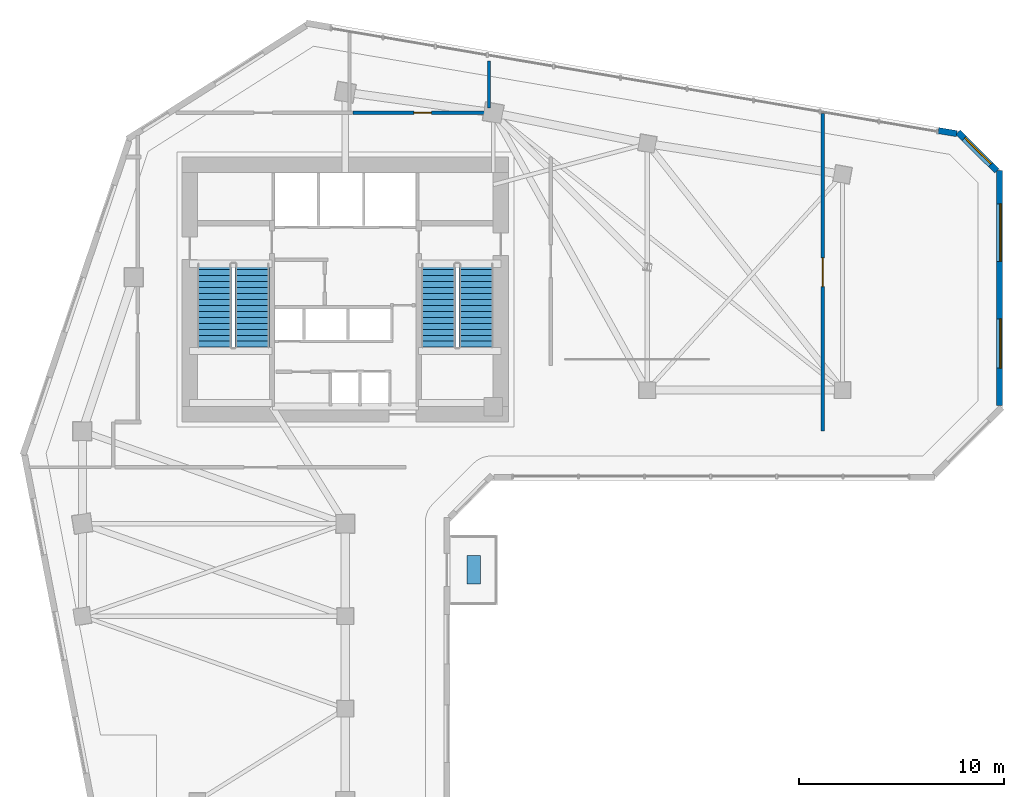
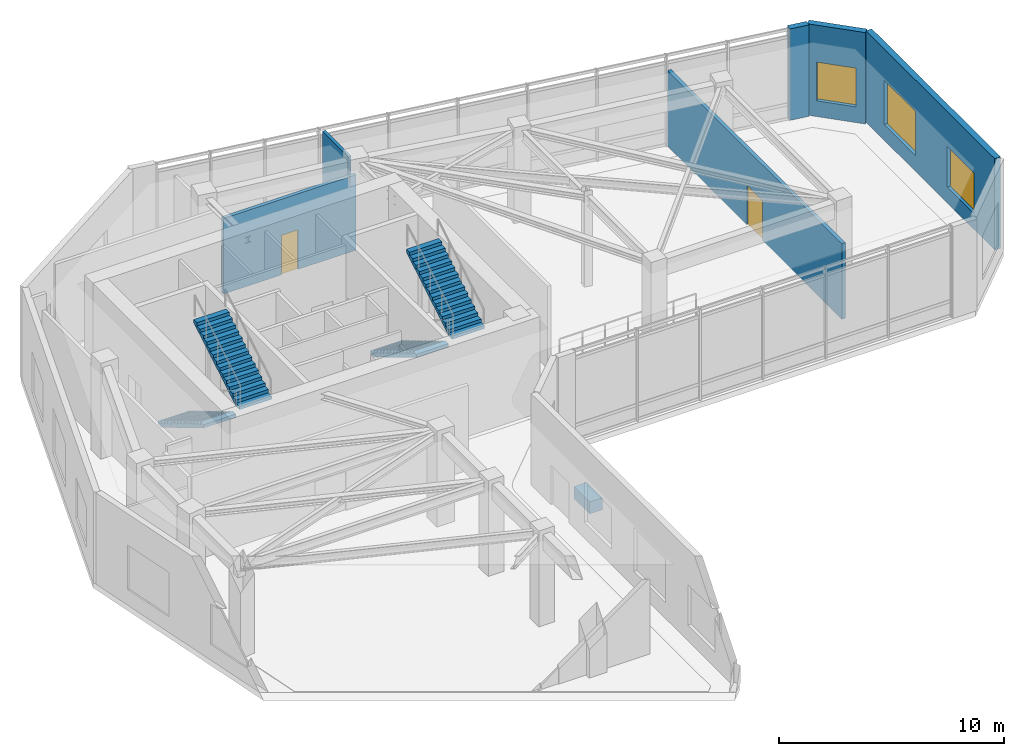
# One storey, part 6 of 9: 6 walls, 4 stair flights, 3 windows, 2 doors, 1 discrete accessory, 5 openings, 2 elements without a shape of their own.
"""IFC4 building model written with IfcOpenShell, lengths in metres."""

from ifc_helpers import new_model, si_unit, direction, frame, frame_2d, origin, origin_2d, place, context, subcontext, project, spatial, polyline, rectangle, outline, extrude, source, transform, mapped, material, layer, layer_set, type_object, element, fill, aggregate, save


model = new_model("IFC4")

# Units and contexts
model_context = context("Model", 3, precision=1e-05, world=origin(), true_north=direction((0.0, 1.0)))
body_context = subcontext(model_context, "Body", "Model", "MODEL_VIEW")
ifc_project = project(units=[si_unit("LENGTHUNIT", "METRE"), si_unit("AREAUNIT", "SQUARE_METRE"), si_unit("VOLUMEUNIT", "CUBIC_METRE"), si_unit("PLANEANGLEUNIT", "RADIAN"), si_unit("MASSUNIT", "GRAM", prefix="KILO")], contexts=[model_context])

# Site, building, storey
site_placement = place(None, origin())
site = spatial("IfcSite", under=ifc_project, at=site_placement, CompositionType="ELEMENT")
building_placement = place(site_placement, origin())
building = spatial("IfcBuilding", under=site, at=building_placement, Name="Calvemar Wedge Station Tower", CompositionType="ELEMENT")
storey_placement = place(building_placement, frame((0.0, 0.0, 105.39990234375)))
storey = spatial("IfcBuildingStorey", under=building, at=storey_placement, Name="L25", CompositionType="ELEMENT", Elevation=105.39990234375)

# Wall, opening, door
ifc_material_1 = material(Name="Double-stud fire-rated corridor partition")
ifc_layer_1 = layer(ifc_material_1, 0.179931640625)
ifc_layer_set_1 = layer_set([ifc_layer_1], Name="Double-stud fire-rated corridor partition")
wall_type_1 = type_object("IfcWallType", Name="W-CORR-180", PredefinedType="PARTITIONING", material=ifc_layer_set_1)
wall_1_placement = place(storey_placement, frame((24.162109375, 48.5, 0.0), z_axis=(0.0, 0.0, 1.0), x_axis=(1.0, 0.0, 0.0)))
wall_1 = element("IfcWall", 1, at=wall_1_placement, inside=storey, type_object=wall_type_1, Name="Storey L25 Interior Partition WL-L25-011", PredefinedType="PARTITIONING", context=body_context, shape_type="SweptSolid", body=[
    extrude(rectangle(XDim=6.7978515625, YDim=0.179931640625, at=frame_2d((3.39892578125, 0.0))), origin(), (0.0, 0.0, 1.0), 4.092041015625),
])
shared_shape_1 = source(origin(), body_context, "Body", "SweptSolid", [
    extrude(rectangle(XDim=0.85009765625, YDim=2.14990234375, at=frame_2d((0.425048828125, 1.074951171875))), frame((0.0, 0.10009765625, 0.0), z_axis=(0.0, -1.0, 0.0), x_axis=(1.0, 0.0, 0.0)), (0.0, 0.0, 1.0), 0.199951171875),
])
opening_1_placement = place(wall_1_placement, frame((2.97412109375, 0.0, 0.0)))
opening_1 = element("IfcOpeningElement", 2, at=opening_1_placement, cuts=wall_1, Name="Opening D-02", PredefinedType="OPENING", context=body_context, shape_type="MappedRepresentation", body=[
    mapped(shared_shape_1, transform((0.0, 0.0, 0.0), scale=1.0)),
])
ifc_material_2 = material(Name="Moisture-sealed bathroom hardwood swing door", Category="wood")
door_type_1 = type_object("IfcDoorType", Name="DR-WET-850", OperationType="NOTDEFINED", PredefinedType="DOOR", material=ifc_material_2)
shared_shape_2 = source(origin(), body_context, "Body", "SweptSolid", [
    extrude(rectangle(XDim=0.85009765625, YDim=2.14990234375, at=frame_2d((0.425048828125, 1.074951171875))), frame((0.0, 0.02490234375, 0.0), z_axis=(0.0, -1.0, 0.0), x_axis=(1.0, 0.0, 0.0)), (0.0, 0.0, 1.0), 0.050048828125),
])
door_1_placement = place(opening_1_placement, origin())
door_1 = element("IfcDoor", 3, at=door_1_placement, inside=storey, type_object=door_type_1, Name="L25 Accessible WC Door", OperationType="SINGLE_SWING_LEFT", OverallHeight=2.14990234375, OverallWidth=0.85009765625, PredefinedType="DOOR", context=body_context, shape_type="MappedRepresentation", body=[
    mapped(shared_shape_2, transform((0.0, 0.0, 0.0), scale=1.0)),
])
fill(opening_1, door_1)

wall_2_placement = place(storey_placement, frame((47.034912109375, 48.4736328125, 0.0), z_axis=(0.0, 0.0, 1.0), x_axis=(0.0, -1.0, 0.0)))
wall_2 = element("IfcWall", 4, at=wall_2_placement, inside=storey, type_object=wall_type_1, Name="Storey L25 Interior Partition WL-L25-014", PredefinedType="PARTITIONING", context=body_context, shape_type="SweptSolid", body=[
    extrude(rectangle(XDim=15.4736328125, YDim=0.179931640625, at=frame_2d((7.73681640625, 0.0))), origin(), (0.0, 0.0, 1.0), 4.092041015625),
])
shared_shape_3 = source(origin(), body_context, "Body", "SweptSolid", [
    extrude(rectangle(XDim=1.39990234375, YDim=2.14990234375, at=frame_2d((0.699951171875, 1.074951171875))), frame((0.0, 0.10009765625, 0.0), z_axis=(0.0, -1.0, 0.0), x_axis=(1.0, 0.0, 0.0)), (0.0, 0.0, 1.0), 0.199951171875),
])
opening_2_placement = place(wall_2_placement, frame((7.036865234375, 0.0, 0.0)))
opening_2 = element("IfcOpeningElement", 5, at=opening_2_placement, cuts=wall_2, Name="Opening DD-140", PredefinedType="OPENING", context=body_context, shape_type="MappedRepresentation", body=[
    mapped(shared_shape_3, transform((0.0, 0.0, 0.0), scale=1.0)),
])
ifc_material_3 = material(Name="Double-leaf corridor acoustic fire door EI 60")
door_type_2 = type_object("IfcDoorType", Name="DR-DBL-1400", OperationType="DOUBLE_DOOR_SINGLE_SWING", PredefinedType="DOOR", material=ifc_material_3)
shared_shape_4 = source(origin(), body_context, "Body", "SweptSolid", [
    extrude(rectangle(XDim=1.39990234375, YDim=2.14990234375, at=frame_2d((0.699951171875, 1.074951171875))), frame((0.0, 0.02490234375, 0.0), z_axis=(0.0, -1.0, 0.0), x_axis=(1.0, 0.0, 0.0)), (0.0, 0.0, 1.0), 0.050048828125),
])
door_2_placement = place(opening_2_placement, origin())
door_2 = element("IfcDoor", 6, at=door_2_placement, inside=storey, type_object=door_type_2, Name="L25 Sky Terrace Bar Door", OperationType="SINGLE_SWING_LEFT", OverallHeight=2.14990234375, OverallWidth=1.39990234375, PredefinedType="DOOR", context=body_context, shape_type="MappedRepresentation", body=[
    mapped(shared_shape_4, transform((0.0, 0.0, 0.0), scale=1.0)),
])
fill(opening_2, door_2)

# Wall, openings, windows
ifc_material_4 = material(Name="Precast concrete C45", Category="concrete")
ifc_layer_2 = layer(ifc_material_4, 0.300048828125)
ifc_layer_set_2 = layer_set([ifc_layer_2], Name="Precast concrete C45")
wall_type_2 = type_object("IfcWallType", Name="W-EXT-GFRC-300", PredefinedType="SOLIDWALL", material=ifc_layer_set_2)
wall_3_placement = place(storey_placement, frame((55.64990234375, 34.249267578125, 0.0), z_axis=(0.0, 0.0, 1.0), x_axis=(0.0, 1.0, 0.0)))
wall_3 = element("IfcWall", 7, at=wall_3_placement, inside=storey, type_object=wall_type_2, Name="Storey L25 Bronze GFRC Exterior Wall 8", PredefinedType="SOLIDWALL", context=body_context, shape_type="SweptSolid", body=[
    extrude(rectangle(XDim=11.4306640625, YDim=0.300048828125, at=frame_2d((5.71533203125, 0.0))), origin(), (0.0, 0.0, 1.0), 4.9501953125),
])
shared_shape_5 = source(origin(), body_context, "Body", "SweptSolid", [
    extrude(rectangle(XDim=2.39990234375, YDim=2.199951171875, at=frame_2d((1.199951171875, 1.10009765625))), frame((0.0, 0.16015625, 0.0), z_axis=(0.0, -1.0, 0.0), x_axis=(1.0, 0.0, 0.0)), (0.0, 0.0, 1.0), 0.320068359375),
])
opening_3_placement = place(wall_3_placement, frame((1.818115234375, 0.0, 0.85009765625)))
opening_3 = element("IfcOpeningElement", 8, at=opening_3_placement, cuts=wall_3, Name="Opening W1", PredefinedType="OPENING", context=body_context, shape_type="MappedRepresentation", body=[
    mapped(shared_shape_5, transform((0.0, 0.0, 0.0), scale=1.0)),
])
shared_shape_6 = source(origin(), body_context, "Body", "SweptSolid", [
    extrude(rectangle(XDim=2.800048828125, YDim=2.39990234375, at=frame_2d((1.39990234375, 1.199951171875))), frame((0.0, 0.16015625, 0.0), z_axis=(0.0, -1.0, 0.0), x_axis=(1.0, 0.0, 0.0)), (0.0, 0.0, 1.0), 0.320068359375),
])
opening_4_placement = place(wall_3_placement, frame((7.012939453125, 0.0, 0.85009765625)))
opening_4 = element("IfcOpeningElement", 9, at=opening_4_placement, cuts=wall_3, Name="Opening W6", PredefinedType="OPENING", context=body_context, shape_type="MappedRepresentation", body=[
    mapped(shared_shape_6, transform((0.0, 0.0, 0.0), scale=1.0)),
])
ifc_material_5 = material(Name="Low-E laminated insulated glass", Category="glass")
window_type_1 = type_object("IfcWindowType", Name="WIN-EXT-6", PartitioningType="SINGLE_PANEL", PredefinedType="WINDOW", material=ifc_material_5)
shared_shape_7 = source(origin(), body_context, "Body", "SweptSolid", [
    extrude(rectangle(XDim=2.800048828125, YDim=2.39990234375, at=frame_2d((1.39990234375, 1.199951171875))), frame((0.0, -0.014892578125, 0.0), z_axis=(0.0, -1.0, 0.0), x_axis=(1.0, 0.0, 0.0)), (0.0, 0.0, 1.0), 0.06005859375),
])
window_1_placement = place(opening_4_placement, origin())
window_1 = element("IfcWindow", 10, at=window_1_placement, inside=storey, type_object=window_type_1, Name="Storey L25 Recessed Window 8.2", OverallHeight=2.39990234375, OverallWidth=2.800048828125, PartitioningType="SINGLE_PANEL", PredefinedType="WINDOW", context=body_context, shape_type="MappedRepresentation", body=[
    mapped(shared_shape_7, transform((0.0, 0.0, 0.0), scale=1.0)),
])
fill(opening_4, window_1)
window_type_2 = type_object("IfcWindowType", Name="WIN-EXT-1", PartitioningType="SINGLE_PANEL", PredefinedType="WINDOW", material=ifc_material_5)
shared_shape_8 = source(origin(), body_context, "Body", "SweptSolid", [
    extrude(rectangle(XDim=2.39990234375, YDim=2.199951171875, at=frame_2d((1.199951171875, 1.10009765625))), frame((0.0, -0.014892578125, 0.0), z_axis=(0.0, -1.0, 0.0), x_axis=(1.0, 0.0, 0.0)), (0.0, 0.0, 1.0), 0.06005859375),
])
window_2_placement = place(opening_3_placement, origin())
window_2 = element("IfcWindow", 11, at=window_2_placement, inside=storey, type_object=window_type_2, Name="Storey L25 Recessed Window 8.1", OverallHeight=2.199951171875, OverallWidth=2.39990234375, PartitioningType="SINGLE_PANEL", PredefinedType="WINDOW", context=body_context, shape_type="MappedRepresentation", body=[
    mapped(shared_shape_8, transform((0.0, 0.0, 0.0), scale=1.0)),
])
fill(opening_3, window_2)

# Wall, opening, window
wall_4_placement = place(storey_placement, frame((55.511962890625, 45.66796875, 0.0), z_axis=(0.0, 0.0, 1.0), x_axis=(-0.707152443695, 0.707061115729, 0.0)))
wall_4 = element("IfcWall", 12, at=wall_4_placement, inside=storey, type_object=wall_type_2, Name="Storey L25 Bronze GFRC Exterior Wall 9", PredefinedType="SOLIDWALL", context=body_context, shape_type="SweptSolid", body=[
    extrude(rectangle(XDim=2.67333984375, YDim=0.300048828125, at=frame_2d((1.336669921875, 0.0))), origin(), (0.0, 0.0, 1.0), 4.9501953125),
])
shared_shape_9 = source(origin(), body_context, "Body", "SweptSolid", [
    extrude(rectangle(XDim=1.800048828125, YDim=2.10009765625, at=frame_2d((0.89990234375, 1.050048828125))), frame((0.0, 0.16015625, 0.0), z_axis=(0.0, -1.0, 0.0), x_axis=(1.0, 0.0, 0.0)), (0.0, 0.0, 1.0), 0.320068359375),
])
opening_5_placement = place(wall_4_placement, frame((0.43701171875, 0.0, 0.85009765625)))
opening_5 = element("IfcOpeningElement", 13, at=opening_5_placement, cuts=wall_4, Name="Opening W2", PredefinedType="OPENING", context=body_context, shape_type="MappedRepresentation", body=[
    mapped(shared_shape_9, transform((0.0, 0.0, 0.0), scale=1.0)),
])
window_type_3 = type_object("IfcWindowType", Name="WIN-EXT-2", PartitioningType="SINGLE_PANEL", PredefinedType="WINDOW", material=ifc_material_5)
shared_shape_10 = source(origin(), body_context, "Body", "SweptSolid", [
    extrude(rectangle(XDim=1.800048828125, YDim=2.10009765625, at=frame_2d((0.89990234375, 1.050048828125))), frame((0.0, -0.014892578125, 0.0), z_axis=(0.0, -1.0, 0.0), x_axis=(1.0, 0.0, 0.0)), (0.0, 0.0, 1.0), 0.06005859375),
])
window_3_placement = place(opening_5_placement, origin())
window_3 = element("IfcWindow", 14, at=window_3_placement, inside=storey, type_object=window_type_3, Name="Storey L25 Recessed Window 9.1", OverallHeight=2.10009765625, OverallWidth=1.800048828125, PartitioningType="SINGLE_PANEL", PredefinedType="WINDOW", context=body_context, shape_type="MappedRepresentation", body=[
    mapped(shared_shape_10, transform((0.0, 0.0, 0.0), scale=1.0)),
])
fill(opening_5, window_3)

# Walls
wall_5_placement = place(storey_placement, frame((53.56103515625, 47.48046875, 0.0), z_axis=(0.0, 0.0, 1.0), x_axis=(-0.985849611931, 0.167632164741, 0.0)))
element("IfcWall", 15, at=wall_5_placement, inside=storey, type_object=wall_type_2, Name="Storey L25 Bronze GFRC Corner Pier 10A", PredefinedType="SOLIDWALL", context=body_context, shape_type="SweptSolid", body=[
    extrude(rectangle(XDim=0.906005859375, YDim=0.300048828125, at=frame_2d((0.453125, 0.0))), origin(), (0.0, 0.0, 1.0), 4.9501953125),
])
ifc_material_6 = material(Name="Moisture-resistant acoustic bathroom partition")
ifc_layer_3 = layer(ifc_material_6, 0.14990234375)
ifc_layer_set_3 = layer_set([ifc_layer_3], Name="Moisture-resistant acoustic bathroom partition")
wall_type_3 = type_object("IfcWallType", Name="W-WET-150", PredefinedType="PARTITIONING", material=ifc_layer_set_3)
wall_6_placement = place(storey_placement, frame((30.800048828125, 51.011474609375, 0.0), z_axis=(0.0, 0.0, 1.0), x_axis=(0.0, -1.0, 0.0)))
element("IfcWall", 16, at=wall_6_placement, inside=storey, type_object=wall_type_3, Name="Storey L25 Bathroom Enclosure Wall WL-L25-019", PredefinedType="PARTITIONING", context=body_context, shape_type="SweptSolid", body=[
    extrude(rectangle(XDim=2.29150390625, YDim=0.14990234375, at=frame_2d((1.145751953125, 0.0))), origin(), (0.0, 0.0, 1.0), 4.9501953125),
])

# Stair, stair flights
ifc_material_7 = material(Name="Concrete C45", Category="concrete")
stair_type = type_object("IfcStairType", Name="ST-TYPE-5200", PredefinedType="HALF_TURN_STAIR", material=ifc_material_7)
stair_1_placement = place(storey_placement, origin())
stair_1 = element("IfcStair", 17, at=stair_1_placement, inside=storey, type_object=stair_type, Name="L25 Pressurized Core Exit Stair ST-C1", PredefinedType="HALF_TURN_STAIR")
stair_flight_type = type_object("IfcStairFlightType", Name="STF-TYPE-5200", PredefinedType="STRAIGHT", material=ifc_material_7)
stair_flight_1_placement = place(storey_placement, frame((17.429931640625, 41.14990234375, 0.0), z_axis=(0.0, 0.0, 1.0), x_axis=(0.0, -1.0, 0.0)))
stair_flight_1 = element("IfcStairFlight", 18, at=stair_flight_1_placement, type_object=stair_flight_type, Name="ST-C1 flight 1", NumberOfRisers=15, NumberOfTreads=14, PredefinedType="STRAIGHT", RiserHeight=0.173333333, TreadLength=0.29, context=body_context, shape_type="SweptSolid", body=[
    extrude(outline(polyline([(0.0, 0.0), (0.0, 0.17333984375), (0.2900390625, 0.17333984375), (0.2900390625, 0.3466796875), (0.580078125, 0.3466796875), (0.580078125, 0.52001953125), (0.8701171875, 0.52001953125), (0.8701171875, 0.693359375), (1.159912109375, 0.693359375), (1.159912109375, 0.86669921875), (1.449951171875, 0.86669921875), (1.449951171875, 1.0400390625), (1.739990234375, 1.0400390625), (1.739990234375, 1.21337890625), (2.030029296875, 1.21337890625), (2.030029296875, 1.38671875), (2.320068359375, 1.38671875), (2.320068359375, 1.56005859375), (2.610107421875, 1.56005859375), (2.610107421875, 1.7333984375), (2.89990234375, 1.7333984375), (2.89990234375, 1.90673828125), (3.18994140625, 1.90673828125), (3.18994140625, 2.080078125), (3.47998046875, 2.080078125), (3.47998046875, 2.25341796875), (3.77001953125, 2.25341796875), (3.77001953125, 2.4267578125), (4.06005859375, 2.4267578125), (4.06005859375, 2.60009765625), (4.06005859375, 2.251953125), (0.292236328125, 0.0), (0.0, 0.0)])), frame((0.0, 0.830078125, 0.0), z_axis=(0.0, -1.0, 0.0), x_axis=(1.0, 0.0, 0.0)), (0.0, 0.0, 1.0), 1.659912109375),
])
stair_flight_2_placement = place(storey_placement, frame((19.27001953125, 37.090087890625, 2.60009765625), z_axis=(0.0, 0.0, 1.0), x_axis=(0.0, 1.0, 0.0)))
stair_flight_2 = element("IfcStairFlight", 19, at=stair_flight_2_placement, type_object=stair_flight_type, Name="ST-C1 flight 2", NumberOfRisers=15, NumberOfTreads=14, PredefinedType="STRAIGHT", RiserHeight=0.173333333, TreadLength=0.29, context=body_context, shape_type="SweptSolid", body=[
    extrude(outline(polyline([(0.0, 0.0), (0.0, 0.17333984375), (0.2900390625, 0.17333984375), (0.2900390625, 0.3466796875), (0.580078125, 0.3466796875), (0.580078125, 0.52001953125), (0.8701171875, 0.52001953125), (0.8701171875, 0.693359375), (1.159912109375, 0.693359375), (1.159912109375, 0.86669921875), (1.449951171875, 0.86669921875), (1.449951171875, 1.0400390625), (1.739990234375, 1.0400390625), (1.739990234375, 1.21337890625), (2.030029296875, 1.21337890625), (2.030029296875, 1.38671875), (2.320068359375, 1.38671875), (2.320068359375, 1.56005859375), (2.610107421875, 1.56005859375), (2.610107421875, 1.7333984375), (2.89990234375, 1.7333984375), (2.89990234375, 1.90673828125), (3.18994140625, 1.90673828125), (3.18994140625, 2.080078125), (3.47998046875, 2.080078125), (3.47998046875, 2.25341796875), (3.77001953125, 2.25341796875), (3.77001953125, 2.4267578125), (4.06005859375, 2.4267578125), (4.06005859375, 2.60009765625), (4.06005859375, 2.251953125), (0.292236328125, 0.0), (0.0, 0.0)])), frame((0.0, 0.830078125, 0.0), z_axis=(0.0, -1.0, 0.0), x_axis=(1.0, 0.0, 0.0)), (0.0, 0.0, 1.0), 1.659912109375),
])
aggregate(stair_1, [stair_flight_1, stair_flight_2])

stair_2_placement = place(storey_placement, origin())
stair_2 = element("IfcStair", 20, at=stair_2_placement, inside=storey, type_object=stair_type, Name="L25 Pressurized Core Exit Stair ST-C2", PredefinedType="HALF_TURN_STAIR")
stair_flight_3_placement = place(storey_placement, frame((28.330078125, 41.14990234375, 0.0), z_axis=(0.0, 0.0, 1.0), x_axis=(0.0, -1.0, 0.0)))
stair_flight_3 = element("IfcStairFlight", 21, at=stair_flight_3_placement, type_object=stair_flight_type, Name="ST-C2 flight 1", NumberOfRisers=15, NumberOfTreads=14, PredefinedType="STRAIGHT", RiserHeight=0.173333333, TreadLength=0.29, context=body_context, shape_type="SweptSolid", body=[
    extrude(outline(polyline([(0.0, 0.0), (0.0, 0.17333984375), (0.2900390625, 0.17333984375), (0.2900390625, 0.3466796875), (0.580078125, 0.3466796875), (0.580078125, 0.52001953125), (0.8701171875, 0.52001953125), (0.8701171875, 0.693359375), (1.159912109375, 0.693359375), (1.159912109375, 0.86669921875), (1.449951171875, 0.86669921875), (1.449951171875, 1.0400390625), (1.739990234375, 1.0400390625), (1.739990234375, 1.21337890625), (2.030029296875, 1.21337890625), (2.030029296875, 1.38671875), (2.320068359375, 1.38671875), (2.320068359375, 1.56005859375), (2.610107421875, 1.56005859375), (2.610107421875, 1.7333984375), (2.89990234375, 1.7333984375), (2.89990234375, 1.90673828125), (3.18994140625, 1.90673828125), (3.18994140625, 2.080078125), (3.47998046875, 2.080078125), (3.47998046875, 2.25341796875), (3.77001953125, 2.25341796875), (3.77001953125, 2.4267578125), (4.06005859375, 2.4267578125), (4.06005859375, 2.60009765625), (4.06005859375, 2.251953125), (0.292236328125, 0.0), (0.0, 0.0)])), frame((0.0, 0.830078125, 0.0), z_axis=(0.0, -1.0, 0.0), x_axis=(1.0, 0.0, 0.0)), (0.0, 0.0, 1.0), 1.659912109375),
])
stair_flight_4_placement = place(storey_placement, frame((30.169921875, 37.090087890625, 2.60009765625), z_axis=(0.0, 0.0, 1.0), x_axis=(0.0, 1.0, 0.0)))
stair_flight_4 = element("IfcStairFlight", 22, at=stair_flight_4_placement, type_object=stair_flight_type, Name="ST-C2 flight 2", NumberOfRisers=15, NumberOfTreads=14, PredefinedType="STRAIGHT", RiserHeight=0.173333333, TreadLength=0.29, context=body_context, shape_type="SweptSolid", body=[
    extrude(outline(polyline([(0.0, 0.0), (0.0, 0.17333984375), (0.2900390625, 0.17333984375), (0.2900390625, 0.3466796875), (0.580078125, 0.3466796875), (0.580078125, 0.52001953125), (0.8701171875, 0.52001953125), (0.8701171875, 0.693359375), (1.159912109375, 0.693359375), (1.159912109375, 0.86669921875), (1.449951171875, 0.86669921875), (1.449951171875, 1.0400390625), (1.739990234375, 1.0400390625), (1.739990234375, 1.21337890625), (2.030029296875, 1.21337890625), (2.030029296875, 1.38671875), (2.320068359375, 1.38671875), (2.320068359375, 1.56005859375), (2.610107421875, 1.56005859375), (2.610107421875, 1.7333984375), (2.89990234375, 1.7333984375), (2.89990234375, 1.90673828125), (3.18994140625, 1.90673828125), (3.18994140625, 2.080078125), (3.47998046875, 2.080078125), (3.47998046875, 2.25341796875), (3.77001953125, 2.25341796875), (3.77001953125, 2.4267578125), (4.06005859375, 2.4267578125), (4.06005859375, 2.60009765625), (4.06005859375, 2.251953125), (0.292236328125, 0.0), (0.0, 0.0)])), frame((0.0, 0.830078125, 0.0), z_axis=(0.0, -1.0, 0.0), x_axis=(1.0, 0.0, 0.0)), (0.0, 0.0, 1.0), 1.659912109375),
])
aggregate(stair_2, [stair_flight_3, stair_flight_4])

# Discrete accessory
discrete_accessory_type = type_object("IfcDiscreteAccessoryType", Name="ACC-PLANTER", PredefinedType="USERDEFINED", material=ifc_material_4)
shared_shape_11 = source(origin(), body_context, "Body", "SweptSolid", [
    extrude(rectangle(XDim=0.64990234375, YDim=1.39990234375, at=origin_2d()), origin(), (0.0, 0.0, 1.0), 0.64990234375),
])
discrete_accessory_placement = place(storey_placement, frame((30.0458984375, 26.25, 0.000244140625), z_axis=(0.0, 0.0, 1.0), x_axis=(1.0, 0.0, 0.0)))
element("IfcDiscreteAccessory", 23, at=discrete_accessory_placement, inside=storey, type_object=discrete_accessory_type, Name="Storey L25 Planted Terrace GFRC Planter", ObjectType="PLANTER", PredefinedType="USERDEFINED", context=body_context, shape_type="MappedRepresentation", body=[
    mapped(shared_shape_11, transform((0.0, 0.0, 0.0), scale=1.0)),
])

save(model, "model.ifc")
